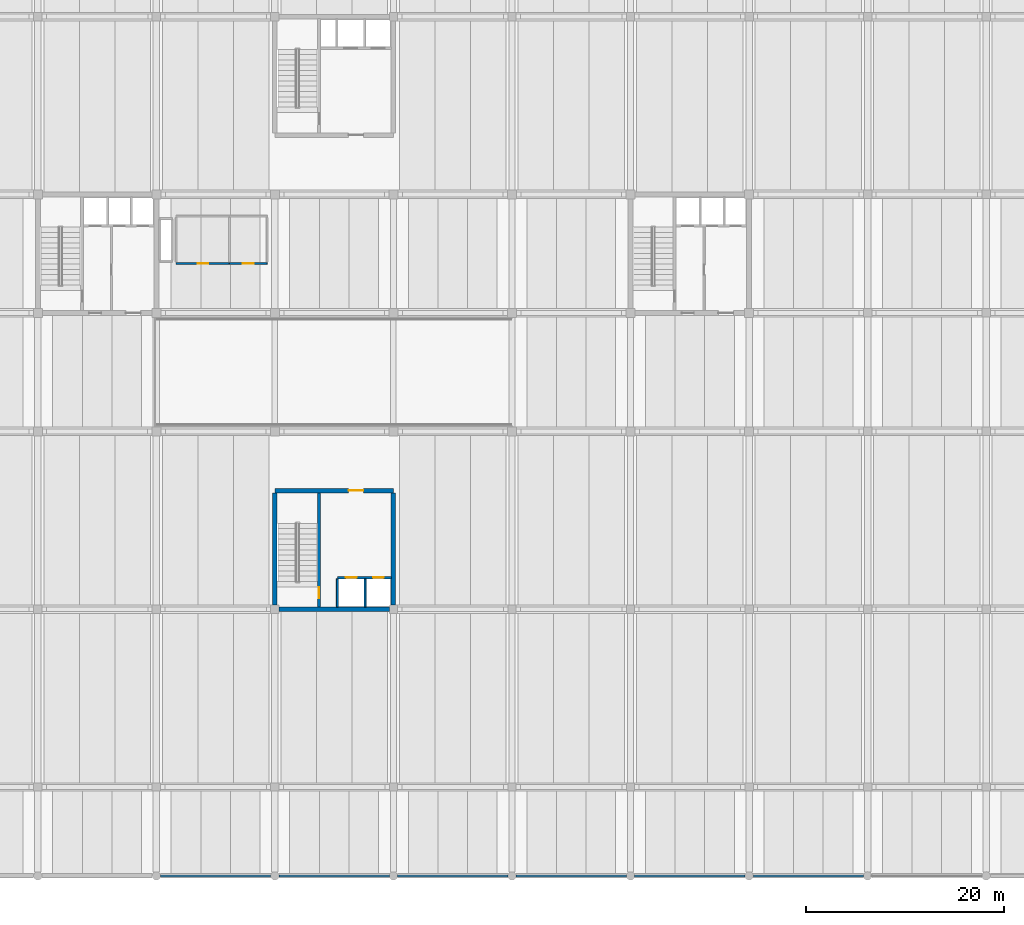
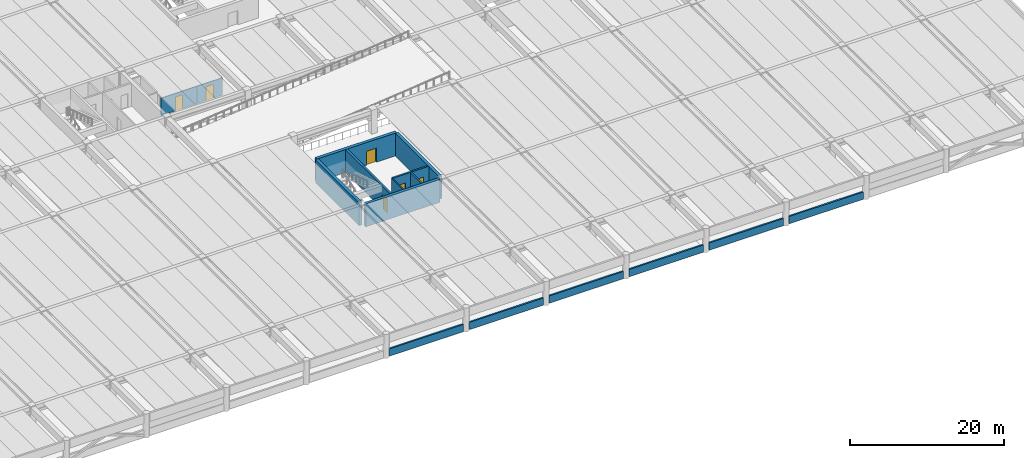
# One storey, part 8 of 19: 16 walls, 6 doors, 6 openings.
"""IFC4 building model written with IfcOpenShell, lengths in metres."""

import ifcopenshell
import ifcopenshell.guid

model = None  # the IFC model being written
_history = None  # IfcOwnerHistory: only IFC2X3 demands one
_inside = {}  # id of a spatial element -> (the spatial element, [elements in it])
_under = {}  # id of a project, library or spatial element -> (it, [spatial elements below it])
_declared = {}  # id of a project -> (the project, [libraries it declares])
_typed = {}  # id of a type object -> (the type object, [elements of that type])
_made_of = {}  # id of a material, layer set ... -> (it, [elements and type objects made of it])


def new_model(schema):
    """Start an empty IFC model of exactly this schema.

    Asked for "IFC4X3", IfcOpenShell would pick the latest addendum, in which some entities
    have other attributes; the version numbers below select the first issue.
    IFC2X3 requires an IfcOwnerHistory on every rooted entity: one is made here for all.
    """
    global model, _history
    if schema == "IFC4X3":
        model = ifcopenshell.file(schema_version=(4, 3, 0, 0))
    else:
        model = ifcopenshell.file(schema=schema)
    _inside.clear()
    _under.clear()
    _declared.clear()
    _typed.clear()
    _made_of.clear()
    _history = None
    if model.schema == "IFC2X3":
        org = make("IfcOrganization", Name="unknown")
        user = make(
            "IfcPersonAndOrganization",
            ThePerson=make("IfcPerson", FamilyName="unknown"),
            TheOrganization=org,
        )
        app = make(
            "IfcApplication",
            ApplicationDeveloper=org,
            Version="unknown",
            ApplicationFullName="unknown",
            ApplicationIdentifier="unknown",
        )
        _history = make(
            "IfcOwnerHistory",
            OwningUser=user,
            OwningApplication=app,
            ChangeAction="ADDED",
            CreationDate=0,
        )
    return model


def make(cls, **values):
    """One entity of the class cls with the attributes given. An attribute that is None is left unset."""
    return model.create_entity(
        cls, **{name: value for name, value in values.items() if value is not None}
    )


def rooted(cls, **values):
    """An entity with a GlobalId (a new one), such as an element, a storey or a relation."""
    return make(cls, GlobalId=ifcopenshell.guid.new(), OwnerHistory=_history, **values)


def si_unit(unit_type, name, prefix=None):
    """IfcSIUnit, for example si_unit("LENGTHUNIT", "METRE", prefix="MILLI")."""
    return make("IfcSIUnit", UnitType=unit_type, Prefix=prefix, Name=name)


def assignment(units):
    """IfcUnitAssignment: the units of a project."""
    return None if units is None else make("IfcUnitAssignment", Units=units)


def point(xyz):
    """IfcCartesianPoint."""
    return None if xyz is None else make("IfcCartesianPoint", Coordinates=xyz)


def direction(xyz):
    """IfcDirection."""
    return None if xyz is None else make("IfcDirection", DirectionRatios=xyz)


def frame(location, z_axis=None, x_axis=None):
    """IfcAxis2Placement3D, a coordinate frame: its origin and axes. An axis left out is left unset."""
    return make(
        "IfcAxis2Placement3D",
        Location=point(location),
        Axis=direction(z_axis),
        RefDirection=direction(x_axis),
    )


def frame_2d(location, x_axis=None):
    """IfcAxis2Placement2D, a coordinate frame in the plane: its origin and x axis."""
    return make(
        "IfcAxis2Placement2D", Location=point(location), RefDirection=direction(x_axis)
    )


def origin():
    """The frame at (0, 0, 0) with its axes left unset."""
    return frame((0.0, 0.0, 0.0))


def place(relative_to, where):
    """IfcLocalPlacement: puts the frame where relative to a parent placement (None: the world)."""
    return make(
        "IfcLocalPlacement", PlacementRelTo=relative_to, RelativePlacement=where
    )


def context(
    kind, dimensions, precision=None, world=None, true_north=None, identifier=None
):
    """IfcGeometricRepresentationContext, for example the 3D "Model" context."""
    return make(
        "IfcGeometricRepresentationContext",
        ContextIdentifier=identifier,
        ContextType=kind,
        CoordinateSpaceDimension=dimensions,
        Precision=precision,
        WorldCoordinateSystem=world,
        TrueNorth=true_north,
    )


def subcontext(parent, identifier, kind, view, scale=None):
    """IfcGeometricRepresentationSubContext, for example "Body" below "Model"."""
    return make(
        "IfcGeometricRepresentationSubContext",
        ContextIdentifier=identifier,
        ContextType=kind,
        ParentContext=parent,
        TargetScale=scale,
        TargetView=view,
    )


def project(units=None, contexts=None):
    """IfcProject with its units and contexts."""
    return rooted(
        "IfcProject",
        Name="project",
        RepresentationContexts=contexts,
        UnitsInContext=assignment(units),
    )


def spatial(cls, under=None, at=None, **own):
    """A site, building, storey or space (cls), placed at a placement, below another one or the project."""
    s = rooted(cls, ObjectPlacement=at, **own)
    if under is not None:
        _under.setdefault(under.id(), (under, []))[1].append(s)
    return s


def profile(cls, at=None, kind="AREA", **sizes):
    """A parametric profile (cls). Its sizes go by their IFC names, for example OverallWidth=200.0."""
    return make(cls, ProfileType=kind, Position=at, **sizes)


def rectangle(**sizes):
    """IfcRectangleProfileDef."""
    return profile("IfcRectangleProfileDef", **sizes)


def extrude(swept, where, along, depth):
    """IfcExtrudedAreaSolid: the profile swept, set in the frame where, extruded along a direction by depth."""
    return make(
        "IfcExtrudedAreaSolid",
        SweptArea=swept,
        Position=where,
        ExtrudedDirection=direction(along),
        Depth=depth,
    )


def shape(context_of_items, identifier, shape_type, items):
    """IfcShapeRepresentation: the items that make up one representation, for example the "Body"."""
    return make(
        "IfcShapeRepresentation",
        ContextOfItems=context_of_items,
        RepresentationIdentifier=identifier,
        RepresentationType=shape_type,
        Items=items,
    )


def material(Name=None, Category=None):
    """IfcMaterial."""
    return make("IfcMaterial", Name=Name, Category=Category)


def layer(
    of_material, thickness, ventilated=None, Name=None, Category=None, Priority=None
):
    """IfcMaterialLayer: one layer of a wall or slab, of a material (None: an air gap)."""
    return make(
        "IfcMaterialLayer",
        Material=of_material,
        LayerThickness=thickness,
        IsVentilated=ventilated,
        Name=Name,
        Category=Category,
        Priority=Priority,
    )


def layer_set(layers, Name=None):
    """IfcMaterialLayerSet."""
    return make("IfcMaterialLayerSet", MaterialLayers=layers, LayerSetName=Name)


def made_of(thing, what):
    """Note that an element or type object is made of a material, layer set ...; save() writes the relation."""
    if what is not None:
        _made_of.setdefault(what.id(), (what, []))[1].append(thing)
    return thing


def type_object(cls, material=None, **own):
    """A type object (cls), such as IfcWallType, which elements share."""
    return made_of(rooted(cls, **own), material)


def element(
    cls,
    number,
    at=None,
    inside=None,
    cuts=None,
    type_object=None,
    material=None,
    context=None,
    identifier="Body",
    shape_type=None,
    held_by="IfcProductDefinitionShape",
    body=None,
    shapes=None,
    **own,
):
    """One element of the class cls, such as IfcWall. Its Tag is "e" and its number.

    at: its placement. inside: the storey or other place that contains it. cuts: it is an
    opening in that element (IfcRelVoidsElement). A single representation is given by context,
    identifier, shape_type and body (its items); several are given by shapes. held_by: the class
    of the entity that holds the representations. save() writes the other relations.
    """
    e = rooted(cls, Tag="e%d" % number, ObjectPlacement=at, **own)
    if body is not None:
        shapes = [shape(context, identifier, shape_type, body)]
    if shapes is not None:
        e.Representation = make(held_by, Representations=shapes)
    if inside is not None:
        _inside.setdefault(inside.id(), (inside, []))[1].append(e)
    if cuts is not None:
        rooted(
            "IfcRelVoidsElement", RelatingBuildingElement=cuts, RelatedOpeningElement=e
        )
    if type_object is not None:
        _typed.setdefault(type_object.id(), (type_object, []))[1].append(e)
    return made_of(e, material)


def fill(opening, filler):
    """IfcRelFillsElement: the door or window that sits in an opening."""
    return rooted(
        "IfcRelFillsElement",
        RelatingOpeningElement=opening,
        RelatedBuildingElement=filler,
    )


def aggregate(whole, parts):
    """IfcRelAggregates: a whole, such as a stair, and the parts it consists of."""
    return rooted("IfcRelAggregates", RelatingObject=whole, RelatedObjects=parts)


def save(model, path):
    """Write the relations noted so far, then the file.

    IfcRelAggregates (storeys below a building ...), IfcRelContainedInSpatialStructure (elements
    in a storey), IfcRelDefinesByType, IfcRelAssociatesMaterial and IfcRelDeclares: one each for
    every whole, place, type object, material and project.
    """
    for whole, parts in _under.values():
        aggregate(whole, parts)
    for where, things in _inside.values():
        rooted(
            "IfcRelContainedInSpatialStructure",
            RelatedElements=things,
            RelatingStructure=where,
        )
    for kind, things in _typed.values():
        rooted("IfcRelDefinesByType", RelatedObjects=things, RelatingType=kind)
    for what, things in _made_of.values():
        rooted("IfcRelAssociatesMaterial", RelatedObjects=things, RelatingMaterial=what)
    for by, libraries in _declared.values():
        rooted("IfcRelDeclares", RelatingContext=by, RelatedDefinitions=libraries)
    model.write(path)


model = new_model("IFC4")

# Units and contexts
model_context = context("Model", 3, precision=1e-05, world=origin(), true_north=direction((0.0, 1.0)))
body_context = subcontext(model_context, "Body", "Model", "MODEL_VIEW")
ifc_project = project(units=[si_unit("LENGTHUNIT", "METRE"), si_unit("AREAUNIT", "SQUARE_METRE"), si_unit("VOLUMEUNIT", "CUBIC_METRE"), si_unit("PLANEANGLEUNIT", "RADIAN"), si_unit("MASSUNIT", "GRAM", prefix="KILO")], contexts=[model_context])

# Site, building, storey
site_placement = place(None, origin())
site = spatial("IfcSite", under=ifc_project, at=site_placement, CompositionType="ELEMENT")
building_placement = place(site_placement, origin())
building = spatial("IfcBuilding", under=site, at=building_placement, Name="Girod Span Mobility Hub", CompositionType="ELEMENT")
storey_placement = place(building_placement, frame((0.0, 0.0, 9.60009765625)))
storey = spatial("IfcBuildingStorey", under=building, at=storey_placement, Name="L02", CompositionType="ELEMENT", Elevation=9.60009765625)

# Wall
ifc_material_1 = material(Name="Concrete C40/50", Category="concrete")
ifc_layer_1 = layer(ifc_material_1, 0.449951171875)
ifc_layer_set_1 = layer_set([ifc_layer_1], Name="Concrete C40/50")
wall_type_1 = type_object("IfcWallType", Name="W-CW-450", PredefinedType="SHEAR", material=ifc_layer_set_1)
wall_1_placement = place(storey_placement, frame((72.422119140625, 27.0, 0.0), z_axis=(0.0, 0.0, 1.0), x_axis=(1.0, 0.0, 0.0)))
element("IfcWall", 1, at=wall_1_placement, inside=storey, type_object=wall_type_1, Name="Core C3 Shear Wall S L02", PredefinedType="SHEAR", context=body_context, shape_type="SweptSolid", body=[
    extrude(rectangle(XDim=11.15576171875, YDim=0.449951171875, at=frame_2d((5.577880859375, 0.0))), origin(), (0.0, 0.0, 1.0), 3.637939453125),
])

# Wall, opening, door
wall_2_placement = place(storey_placement, frame((72.0, 39.0, 0.0), z_axis=(0.0, 0.0, 1.0), x_axis=(1.0, 0.0, 0.0)))
wall_2 = element("IfcWall", 2, at=wall_2_placement, inside=storey, type_object=wall_type_1, Name="Core C3 Shear Wall N L02", PredefinedType="SHEAR", context=body_context, shape_type="SweptSolid", body=[
    extrude(rectangle(XDim=12.0, YDim=0.449951171875, at=frame_2d((6.0, 0.0))), origin(), (0.0, 0.0, 1.0), 3.637939453125),
])
opening_1_placement = place(wall_2_placement, frame((7.449951171875, 0.0, 0.0)))
opening_1 = element("IfcOpeningElement", 3, at=opening_1_placement, cuts=wall_2, Name="Opening D-LB-C3-L02", PredefinedType="OPENING", context=body_context, shape_type="SweptSolid", body=[
    extrude(rectangle(XDim=1.5, YDim=2.25, at=frame_2d((0.75, 1.125))), frame((0.0, 0.239990234375, 0.0), z_axis=(0.0, -1.0, 0.0), x_axis=(1.0, 0.0, 0.0)), (0.0, 0.0, 1.0), 0.47998046875),
])
ifc_material_2 = material(Name="Fire-Rated Insulated Hollow Metal Steel", Category="steel")
door_type_1 = type_object("IfcDoorType", Name="DT-FD-03", OperationType="DOUBLE_DOOR_SINGLE_SWING", PredefinedType="DOOR", material=ifc_material_2)
door_1_placement = place(opening_1_placement, origin())
door_1 = element("IfcDoor", 4, at=door_1_placement, inside=storey, type_object=door_type_1, Name="Core C3 Lobby Door L02", OperationType="DOUBLE_DOOR_SINGLE_SWING", OverallHeight=2.25, OverallWidth=1.5, PredefinedType="DOOR", context=body_context, shape_type="SweptSolid", body=[
    extrude(rectangle(XDim=1.5, YDim=2.25, at=frame_2d((0.75, 1.125))), frame((0.0, 0.02490234375, 0.0), z_axis=(0.0, -1.0, 0.0), x_axis=(1.0, 0.0, 0.0)), (0.0, 0.0, 1.0), 0.050048828125),
])
fill(opening_1, door_1)

# Walls
for number, where, z_axis, x_axis, name in (
    (5, (72.0, 27.422119140625, 0.0), (0.0, 0.0, 1.0), (0.0, 1.0, 0.0), "Core C3 Shear Wall W L02"),
    (6, (84.0, 27.422119140625, 0.0), (0.0, 0.0, 1.0), (0.0, 1.0, 0.0), "Core C3 Shear Wall E L02"),
):
    element("IfcWall", number, at=place(storey_placement, frame(where, z_axis=z_axis, x_axis=x_axis)), inside=storey, type_object=wall_type_1, Name=name, PredefinedType="SHEAR", context=body_context, shape_type="SweptSolid", body=[
        extrude(rectangle(XDim=11.35595703125, YDim=0.449951171875, at=frame_2d((5.677978515625, 0.0))), origin(), (0.0, 0.0, 1.0), 3.637939453125),
    ])
ifc_material_3 = material(Name="Precast Architectural Concrete C40/50", Category="concrete")
ifc_layer_2 = layer(ifc_material_3, 0.239990234375)
ifc_layer_set_2 = layer_set([ifc_layer_2], Name="Precast Architectural Concrete C40/50")
wall_type_2 = type_object("IfcWallType", Name="W-PAR-240", PredefinedType="PARAPET", material=ifc_layer_set_2)
for number, where, z_axis, x_axis, name in (
    (7, (60.423095703125, 0.0, 0.0), (0.0, 0.0, 1.0), (1.0, 0.0, 0.0), "Precast Parking Barrier Parapet S-6 L02"),
    (8, (72.423095703125, 0.0, 0.0), (0.0, 0.0, 1.0), (1.0, 0.0, 0.0), "Precast Parking Barrier Parapet S-7 L02"),
    (9, (84.423095703125, 0.0, 0.0), (0.0, 0.0, 1.0), (1.0, 0.0, 0.0), "Precast Parking Barrier Parapet S-8 L02"),
    (10, (96.423095703125, 0.0, 0.0), (0.0, 0.0, 1.0), (1.0, 0.0, 0.0), "Precast Parking Barrier Parapet S-9 L02"),
    (11, (108.423095703125, 0.0, 0.0), (0.0, 0.0, 1.0), (1.0, 0.0, 0.0), "Precast Parking Barrier Parapet S-10 L02"),
    (12, (120.423095703125, 0.0, 0.0), (0.0, 0.0, 1.0), (1.0, 0.0, 0.0), "Precast Parking Barrier Parapet S-11 L02"),
):
    element("IfcWall", number, at=place(storey_placement, frame(where, z_axis=z_axis, x_axis=x_axis)), inside=storey, type_object=wall_type_2, Name=name, PredefinedType="PARAPET", context=body_context, shape_type="SweptSolid", body=[
        extrude(rectangle(XDim=11.15380859375, YDim=0.239990234375, at=frame_2d((5.576904296875, 0.0))), origin(), (0.0, 0.0, 1.0), 1.14990234375),
    ])

# Wall, opening, door
ifc_material_4 = material(Name="Fire-Rated Gypsum Board on Metal Studs", Category="gypsum")
ifc_layer_3 = layer(ifc_material_4, 0.155029296875)
ifc_layer_set_3 = layer_set([ifc_layer_3], Name="Fire-Rated Gypsum Board on Metal Studs")
wall_type_3 = type_object("IfcWallType", Name="W-PLB-155", PredefinedType="PLUMBINGWALL", material=ifc_layer_set_3)
wall_3_placement = place(storey_placement, frame((62.0, 62.0, 0.0), z_axis=(0.0, 0.0, 1.0), x_axis=(1.0, 0.0, 0.0)))
wall_3 = element("IfcWall", 13, at=wall_3_placement, inside=storey, type_object=wall_type_3, Name="Restroom L02 Partition S", PredefinedType="PLUMBINGWALL", context=body_context, shape_type="SweptSolid", body=[
    extrude(rectangle(XDim=5.39990234375, YDim=0.155029296875, at=frame_2d((2.699951171875, 0.0))), origin(), (0.0, 0.0, 1.0), 2.75),
])
opening_2_placement = place(wall_3_placement, frame((2.1650390625, 0.0, 0.0)))
opening_2 = element("IfcOpeningElement", 14, at=opening_2_placement, cuts=wall_3, Name="Opening D-L02-WC-MAIN", PredefinedType="OPENING", context=body_context, shape_type="SweptSolid", body=[
    extrude(rectangle(XDim=1.070068359375, YDim=2.18994140625, at=frame_2d((0.53515625, 1.094970703125))), frame((0.0, 0.092529296875, 0.0), z_axis=(0.0, -1.0, 0.0), x_axis=(1.0, 0.0, 0.0)), (0.0, 0.0, 1.0), 0.18505859375),
])
ifc_material_5 = material(Name="Solid-Core Architectural Timber", Category="wood")
door_type_2 = type_object("IfcDoorType", Name="DT-NR-05", OperationType="NOTDEFINED", PredefinedType="DOOR", material=ifc_material_5)
door_2_placement = place(opening_2_placement, origin())
door_2 = element("IfcDoor", 15, at=door_2_placement, inside=storey, type_object=door_type_2, Name="Restroom L02 Door", OperationType="SINGLE_SWING_LEFT", OverallHeight=2.18994140625, OverallWidth=1.070068359375, PredefinedType="DOOR", context=body_context, shape_type="SweptSolid", body=[
    extrude(rectangle(XDim=1.070068359375, YDim=2.18994140625, at=frame_2d((0.53515625, 1.094970703125))), frame((0.0, 0.02490234375, 0.0), z_axis=(0.0, -1.0, 0.0), x_axis=(1.0, 0.0, 0.0)), (0.0, 0.0, 1.0), 0.050048828125),
])
fill(opening_2, door_2)

wall_4_placement = place(storey_placement, frame((67.39990234375, 62.0, 0.0), z_axis=(0.0, 0.0, 1.0), x_axis=(1.0, 0.0, 0.0)))
wall_4 = element("IfcWall", 16, at=wall_4_placement, inside=storey, type_object=wall_type_3, Name="Accessible WC L02 Partition S", PredefinedType="PLUMBINGWALL", context=body_context, shape_type="SweptSolid", body=[
    extrude(rectangle(XDim=3.800048828125, YDim=0.155029296875, at=frame_2d((1.89990234375, 0.0))), origin(), (0.0, 0.0, 1.0), 2.75),
])
opening_3_placement = place(wall_4_placement, frame((1.344970703125, 0.0, 0.0)))
opening_3 = element("IfcOpeningElement", 17, at=opening_3_placement, cuts=wall_4, Name="Opening D-L02-WC-ACC", PredefinedType="OPENING", context=body_context, shape_type="SweptSolid", body=[
    extrude(rectangle(XDim=1.110107421875, YDim=2.2099609375, at=frame_2d((0.55517578125, 1.10498046875))), frame((0.0, 0.092529296875, 0.0), z_axis=(0.0, -1.0, 0.0), x_axis=(1.0, 0.0, 0.0)), (0.0, 0.0, 1.0), 0.18505859375),
])
ifc_material_6 = material(Name="Solid-Core Architectural Timber", Category="wood")
door_type_3 = type_object("IfcDoorType", Name="DT-NR-06", OperationType="NOTDEFINED", PredefinedType="DOOR", material=ifc_material_6)
door_3_placement = place(opening_3_placement, origin())
door_3 = element("IfcDoor", 18, at=door_3_placement, inside=storey, type_object=door_type_3, Name="Accessible WC L02 Door", OperationType="SINGLE_SWING_RIGHT", OverallHeight=2.2099609375, OverallWidth=1.110107421875, PredefinedType="DOOR", context=body_context, shape_type="SweptSolid", body=[
    extrude(rectangle(XDim=1.110107421875, YDim=2.2099609375, at=frame_2d((0.55517578125, 1.10498046875))), frame((0.0, 0.02490234375, 0.0), z_axis=(0.0, -1.0, 0.0), x_axis=(1.0, 0.0, 0.0)), (0.0, 0.0, 1.0), 0.050048828125),
])
fill(opening_3, door_3)

# Walls
ifc_material_7 = material(Name="Concrete C40/50", Category="concrete")
ifc_layer_4 = layer(ifc_material_7, 0.199951171875)
ifc_layer_set_4 = layer_set([ifc_layer_4], Name="Concrete C40/50")
wall_type_4 = type_object("IfcWallType", Name="W-SH-200", PredefinedType="SOLIDWALL", material=ifc_layer_set_4)
for number, where, z_axis, x_axis, name in (
    (19, (78.320068359375, 27.22509765625, 0.0), (0.0, 0.0, 1.0), (0.0, 1.0, 0.0), "Core C3 Shaft Divider 1 L02"),
    (20, (81.1201171875, 27.22509765625, 0.0), (0.0, 0.0, 1.0), (0.0, 1.0, 0.0), "Core C3 Shaft Divider 2 L02"),
):
    element("IfcWall", number, at=place(storey_placement, frame(where, z_axis=z_axis, x_axis=x_axis)), inside=storey, type_object=wall_type_4, Name=name, PredefinedType="SOLIDWALL", context=body_context, shape_type="SweptSolid", body=[
        extrude(rectangle(XDim=2.85498046875, YDim=0.199951171875, at=frame_2d((1.427490234375, 0.0))), origin(), (0.0, 0.0, 1.0), 3.6279296875),
    ])

# Wall, openings, doors
ifc_material_8 = material(Name="Concrete C40/50", Category="concrete")
ifc_layer_5 = layer(ifc_material_8, 0.25)
ifc_layer_set_5 = layer_set([ifc_layer_5], Name="Concrete C40/50")
wall_type_5 = type_object("IfcWallType", Name="W-SH-250", PredefinedType="SOLIDWALL", material=ifc_layer_set_5)
wall_5_placement = place(storey_placement, frame((78.320068359375, 30.199951171875, 0.0), z_axis=(0.0, 0.0, 1.0), x_axis=(1.0, 0.0, 0.0)))
wall_5 = element("IfcWall", 21, at=wall_5_placement, inside=storey, type_object=wall_type_5, Name="Core C3 Hoistway Front Wall L02", PredefinedType="SOLIDWALL", context=body_context, shape_type="SweptSolid", body=[
    extrude(rectangle(XDim=5.4580078125, YDim=0.25, at=frame_2d((2.72900390625, 0.0))), origin(), (0.0, 0.0, 1.0), 3.637939453125),
])
opening_4_placement = place(wall_5_placement, frame((0.860107421875, 0.0, 0.0)))
opening_4 = element("IfcOpeningElement", 22, at=opening_4_placement, cuts=wall_5, Name="Opening LD-LP-5-L02", PredefinedType="OPENING", context=body_context, shape_type="SweptSolid", body=[
    extrude(rectangle(XDim=1.080078125, YDim=2.219970703125, at=frame_2d((0.5400390625, 1.10986328125))), frame((0.0, 0.139892578125, 0.0), z_axis=(0.0, -1.0, 0.0), x_axis=(1.0, 0.0, 0.0)), (0.0, 0.0, 1.0), 0.280029296875),
])
opening_5_placement = place(wall_5_placement, frame((3.610107421875, 0.0, 0.0)))
opening_5 = element("IfcOpeningElement", 23, at=opening_5_placement, cuts=wall_5, Name="Opening LD-LP-6-L02", PredefinedType="OPENING", context=body_context, shape_type="SweptSolid", body=[
    extrude(rectangle(XDim=1.080078125, YDim=2.219970703125, at=frame_2d((0.5400390625, 1.10986328125))), frame((0.0, 0.139892578125, 0.0), z_axis=(0.0, -1.0, 0.0), x_axis=(1.0, 0.0, 0.0)), (0.0, 0.0, 1.0), 0.280029296875),
])
ifc_material_9 = material(Name="Brushed Stainless Steel Grade 304", Category="steel")
door_type_4 = type_object("IfcDoorType", Name="LD-LP-108", OperationType="SLIDING_TO_LEFT", PredefinedType="USERDEFINED", material=ifc_material_9)
door_4_placement = place(opening_4_placement, origin())
door_4 = element("IfcDoor", 24, at=door_4_placement, inside=storey, type_object=door_type_4, Name="Lift LP-5 Sliding Landing Door L02", ObjectType="LANDING DOOR", OperationType="SLIDING_TO_LEFT", OverallHeight=2.219970703125, OverallWidth=1.080078125, PredefinedType="USERDEFINED", context=body_context, shape_type="SweptSolid", body=[
    extrude(rectangle(XDim=1.080078125, YDim=2.219970703125, at=frame_2d((0.5400390625, 1.10986328125))), frame((0.0, 0.02490234375, 0.0), z_axis=(0.0, -1.0, 0.0), x_axis=(1.0, 0.0, 0.0)), (0.0, 0.0, 1.0), 0.050048828125),
])
fill(opening_4, door_4)
door_5_placement = place(opening_5_placement, origin())
door_5 = element("IfcDoor", 25, at=door_5_placement, inside=storey, type_object=door_type_4, Name="Lift LP-6 Sliding Landing Door L02", ObjectType="LANDING DOOR", OperationType="SLIDING_TO_LEFT", OverallHeight=2.219970703125, OverallWidth=1.080078125, PredefinedType="USERDEFINED", context=body_context, shape_type="SweptSolid", body=[
    extrude(rectangle(XDim=1.080078125, YDim=2.219970703125, at=frame_2d((0.5400390625, 1.10986328125))), frame((0.0, 0.02490234375, 0.0), z_axis=(0.0, -1.0, 0.0), x_axis=(1.0, 0.0, 0.0)), (0.0, 0.0, 1.0), 0.050048828125),
])
fill(opening_5, door_5)

# Wall, opening, door
ifc_material_10 = material(Name="Concrete C40/50", Category="concrete")
ifc_layer_6 = layer(ifc_material_10, 0.300048828125)
ifc_layer_set_6 = layer_set([ifc_layer_6], Name="Concrete C40/50")
wall_type_6 = type_object("IfcWallType", Name="W-SH-300", PredefinedType="SHEAR", material=ifc_layer_set_6)
wall_6_placement = place(storey_placement, frame((76.449951171875, 27.221923828125, 0.0), z_axis=(0.0, 0.0, 1.0), x_axis=(0.0, 1.0, 0.0)))
wall_6 = element("IfcWall", 26, at=wall_6_placement, inside=storey, type_object=wall_type_6, Name="Core C3 Stairwell Spine Wall L02", PredefinedType="SHEAR", context=body_context, shape_type="SweptSolid", body=[
    extrude(rectangle(XDim=11.55615234375, YDim=0.300048828125, at=frame_2d((5.778076171875, 0.0))), origin(), (0.0, 0.0, 1.0), 3.637939453125),
])
opening_6_placement = place(wall_6_placement, frame((0.89990234375, 0.0, 0.0)))
opening_6 = element("IfcOpeningElement", 27, at=opening_6_placement, cuts=wall_6, Name="Opening D-ST-3-L02", PredefinedType="OPENING", context=body_context, shape_type="SweptSolid", body=[
    extrude(rectangle(XDim=1.10009765625, YDim=2.199951171875, at=frame_2d((0.550048828125, 1.10009765625))), frame((0.0, 0.1650390625, 0.0), z_axis=(0.0, -1.0, 0.0), x_axis=(1.0, 0.0, 0.0)), (0.0, 0.0, 1.0), 0.330078125),
])
ifc_material_11 = material(Name="Fire-Rated Insulated Hollow Metal Steel", Category="steel")
door_type_5 = type_object("IfcDoorType", Name="DT-FD-01", OperationType="NOTDEFINED", PredefinedType="DOOR", material=ifc_material_11)
door_6_placement = place(opening_6_placement, origin())
door_6 = element("IfcDoor", 28, at=door_6_placement, inside=storey, type_object=door_type_5, Name="Stair ST-3 Fire Door L02", OperationType="SINGLE_SWING_LEFT", OverallHeight=2.199951171875, OverallWidth=1.10009765625, PredefinedType="DOOR", context=body_context, shape_type="SweptSolid", body=[
    extrude(rectangle(XDim=1.10009765625, YDim=2.199951171875, at=frame_2d((0.550048828125, 1.10009765625))), frame((0.0, 0.02490234375, 0.0), z_axis=(0.0, -1.0, 0.0), x_axis=(1.0, 0.0, 0.0)), (0.0, 0.0, 1.0), 0.050048828125),
])
fill(opening_6, door_6)

save(model, "model.ifc")
